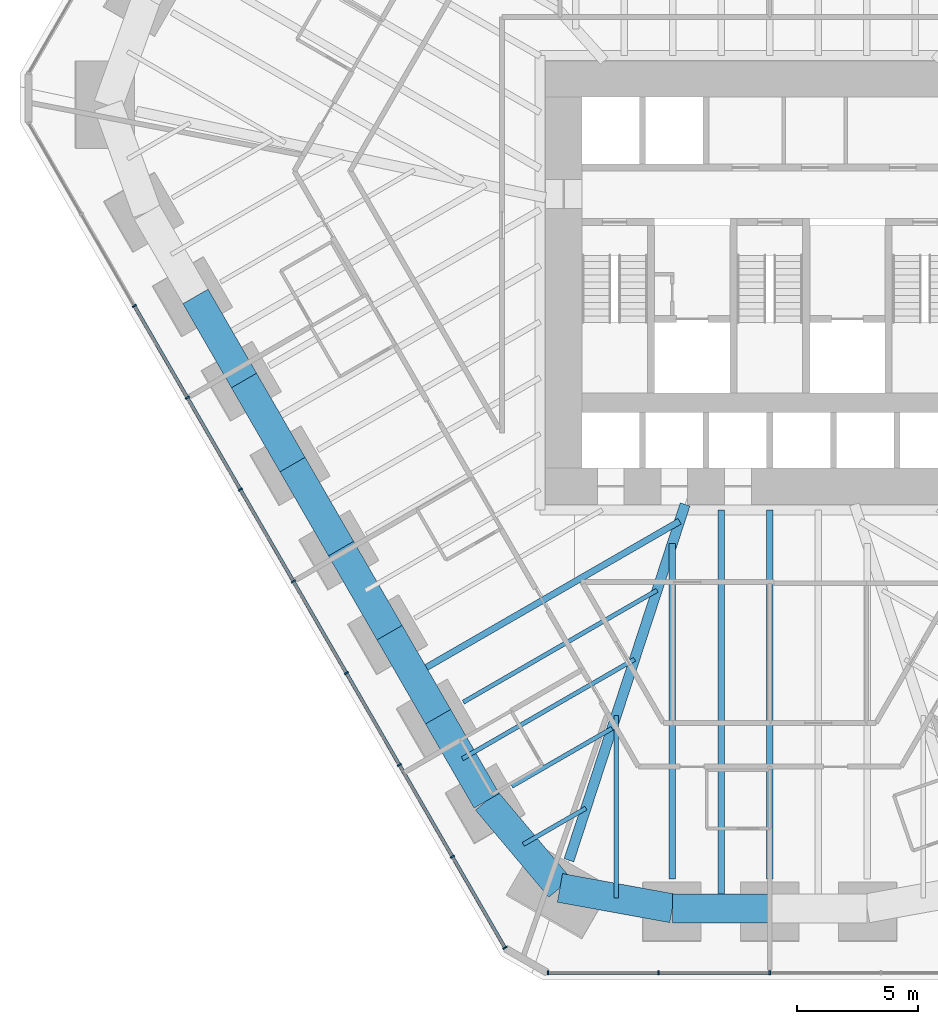
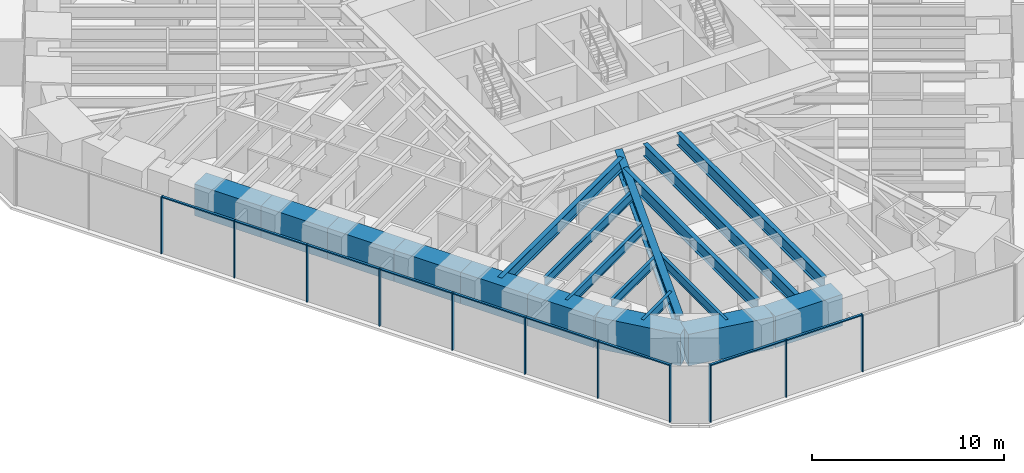
# One storey, part 2 of 17: 20 members, 19 beams, 2 elements without a shape of their own.
"""IFC4 building model written with IfcOpenShell, lengths in metres."""

from ifc_helpers import new_model, si_unit, direction, frame, origin, origin_2d, place, context, subcontext, project, spatial, rectangle, i_section, extrude, material, material_profile, profile_set, type_object, element, aggregate, save


model = new_model("IFC4")

# Units and contexts
model_context = context("Model", 3, precision=1e-05, world=origin(), true_north=direction((0.0, 1.0)))
body_context = subcontext(model_context, "Body", "Model", "MODEL_VIEW")
ifc_project = project(units=[si_unit("LENGTHUNIT", "METRE"), si_unit("AREAUNIT", "SQUARE_METRE"), si_unit("VOLUMEUNIT", "CUBIC_METRE"), si_unit("PLANEANGLEUNIT", "RADIAN"), si_unit("MASSUNIT", "GRAM", prefix="KILO")], contexts=[model_context])

# Site, building, storey
site_placement = place(None, origin())
site = spatial("IfcSite", under=ifc_project, at=site_placement, CompositionType="ELEMENT")
building_placement = place(site_placement, origin())
building = spatial("IfcBuilding", under=site, at=building_placement, Name="Sandreach Pilgrim Tower", CompositionType="ELEMENT")
storey_placement = place(building_placement, frame((0.0, 0.0, 83.800048828125)))
storey = spatial("IfcBuildingStorey", under=building, at=storey_placement, Name="L20", CompositionType="ELEMENT", Elevation=83.800048828125)

# Curtain wall, members
ifc_material_1 = material(Name="Aluminium framed curtain wall", Category="aluminium")
curtain_wall_type = type_object("IfcCurtainWallType", Name="Hostel tower curtain wall", PredefinedType="NOTDEFINED", material=ifc_material_1)
curtain_wall_1_placement = place(storey_placement, origin())
curtain_wall_1 = element("IfcCurtainWall", 1, at=curtain_wall_1_placement, inside=storey, type_object=curtain_wall_type, Name="CW-1 L20 S", PredefinedType="NOTDEFINED")
ifc_material_2 = material(Name="Aluminium extrusion", Category="aluminium")
ifc_material_profile_1 = material_profile(ifc_material_2, rectangle(XDim=0.06494140625, YDim=0.179931640625, at=origin_2d()), Name="CW-1M 65X180")
ifc_profile_set_1 = profile_set([ifc_material_profile_1], Name="Aluminium extrusion")
member_type_1 = type_object("IfcMemberType", Name="CW-1 mullion", PredefinedType="MULLION", material=ifc_profile_set_1)
member_1_placement = place(storey_placement, frame((0.0, -30.010986328125, 0.0), z_axis=(0.0, 0.0, 1.0), x_axis=(-1.0, 0.0, 0.0)))
member_1 = element("IfcMember", 2, at=member_1_placement, type_object=member_type_1, Name="CW-1 mullion 3", PredefinedType="MULLION", context=body_context, shape_type="SweptSolid", body=[
    extrude(rectangle(XDim=0.06494140625, YDim=0.179931640625, at=origin_2d()), origin(), (0.0, 0.0, 1.0), 3.639892578125),
])
member_2_placement = place(storey_placement, frame((-4.5859375, -30.010986328125, 0.0), z_axis=(0.0, 0.0, 1.0), x_axis=(-1.0, 0.0, 0.0)))
member_2 = element("IfcMember", 3, at=member_2_placement, type_object=member_type_1, Name="CW-1 mullion 4", PredefinedType="MULLION", context=body_context, shape_type="SweptSolid", body=[
    extrude(rectangle(XDim=0.06494140625, YDim=0.179931640625, at=origin_2d()), origin(), (0.0, 0.0, 1.0), 3.639892578125),
])
member_3_placement = place(storey_placement, frame((-9.1396484375, -30.010986328125, 0.0), z_axis=(0.0, 0.0, 1.0), x_axis=(-1.0, 0.0, 0.0)))
member_3 = element("IfcMember", 4, at=member_3_placement, type_object=member_type_1, Name="CW-1 mullion 5", PredefinedType="MULLION", context=body_context, shape_type="SweptSolid", body=[
    extrude(rectangle(XDim=0.06494140625, YDim=0.179931640625, at=origin_2d()), origin(), (0.0, 0.0, 1.0), 3.639892578125),
])

curtain_wall_2_placement = place(storey_placement, origin())
curtain_wall_2 = element("IfcCurtainWall", 5, at=curtain_wall_2_placement, inside=storey, type_object=curtain_wall_type, Name="CW-1 L20 SW", PredefinedType="NOTDEFINED")
member_4_placement = place(storey_placement, frame((-10.92041015625, -28.982666015625, 0.0), z_axis=(0.0, 0.0, 1.0), x_axis=(-0.5, 0.866025403784, 0.0)))
member_4 = element("IfcMember", 6, at=member_4_placement, type_object=member_type_1, Name="CW-1 mullion 1", PredefinedType="MULLION", context=body_context, shape_type="SweptSolid", body=[
    extrude(rectangle(XDim=0.06494140625, YDim=0.179931640625, at=origin_2d()), origin(), (0.0, 0.0, 1.0), 3.639892578125),
])
member_5_placement = place(storey_placement, frame((-13.08984375, -25.22509765625, 0.0), z_axis=(0.0, 0.0, 1.0), x_axis=(-0.5, 0.866025403784, 0.0)))
member_5 = element("IfcMember", 7, at=member_5_placement, type_object=member_type_1, Name="CW-1 mullion 2", PredefinedType="MULLION", context=body_context, shape_type="SweptSolid", body=[
    extrude(rectangle(XDim=0.06494140625, YDim=0.179931640625, at=origin_2d()), origin(), (0.0, 0.0, 1.0), 3.639892578125),
])
member_6_placement = place(storey_placement, frame((-15.275634765625, -21.439208984375, 0.0), z_axis=(0.0, 0.0, 1.0), x_axis=(-0.5, 0.866025403784, 0.0)))
member_6 = element("IfcMember", 8, at=member_6_placement, type_object=member_type_1, Name="CW-1 mullion 3", PredefinedType="MULLION", context=body_context, shape_type="SweptSolid", body=[
    extrude(rectangle(XDim=0.06494140625, YDim=0.179931640625, at=origin_2d()), origin(), (0.0, 0.0, 1.0), 3.639892578125),
])
member_7_placement = place(storey_placement, frame((-17.46142578125, -17.6533203125, 0.0), z_axis=(0.0, 0.0, 1.0), x_axis=(-0.5, 0.866025403784, 0.0)))
member_7 = element("IfcMember", 9, at=member_7_placement, type_object=member_type_1, Name="CW-1 mullion 4", PredefinedType="MULLION", context=body_context, shape_type="SweptSolid", body=[
    extrude(rectangle(XDim=0.06494140625, YDim=0.179931640625, at=origin_2d()), origin(), (0.0, 0.0, 1.0), 3.639892578125),
])
member_8_placement = place(storey_placement, frame((-19.647216796875, -13.8671875, 0.0), z_axis=(0.0, 0.0, 1.0), x_axis=(-0.5, 0.866025403784, 0.0)))
member_8 = element("IfcMember", 10, at=member_8_placement, type_object=member_type_1, Name="CW-1 mullion 5", PredefinedType="MULLION", context=body_context, shape_type="SweptSolid", body=[
    extrude(rectangle(XDim=0.06494140625, YDim=0.179931640625, at=origin_2d()), origin(), (0.0, 0.0, 1.0), 3.639892578125),
])
member_9_placement = place(storey_placement, frame((-21.8330078125, -10.081298828125, 0.0), z_axis=(0.0, 0.0, 1.0), x_axis=(-0.5, 0.866025403784, 0.0)))
member_9 = element("IfcMember", 11, at=member_9_placement, type_object=member_type_1, Name="CW-1 mullion 6", PredefinedType="MULLION", context=body_context, shape_type="SweptSolid", body=[
    extrude(rectangle(XDim=0.06494140625, YDim=0.179931640625, at=origin_2d()), origin(), (0.0, 0.0, 1.0), 3.639892578125),
])
member_10_placement = place(storey_placement, frame((-24.018798828125, -6.29541015625, 0.0), z_axis=(0.0, 0.0, 1.0), x_axis=(-0.5, 0.866025403784, 0.0)))
member_10 = element("IfcMember", 12, at=member_10_placement, type_object=member_type_1, Name="CW-1 mullion 7", PredefinedType="MULLION", context=body_context, shape_type="SweptSolid", body=[
    extrude(rectangle(XDim=0.06494140625, YDim=0.179931640625, at=origin_2d()), origin(), (0.0, 0.0, 1.0), 3.639892578125),
])
member_11_placement = place(storey_placement, frame((-26.20458984375, -2.509521484375, 0.0), z_axis=(0.0, 0.0, 1.0), x_axis=(-0.5, 0.866025403784, 0.0)))
member_11 = element("IfcMember", 13, at=member_11_placement, type_object=member_type_1, Name="CW-1 mullion 8", PredefinedType="MULLION", context=body_context, shape_type="SweptSolid", body=[
    extrude(rectangle(XDim=0.06494140625, YDim=0.179931640625, at=origin_2d()), origin(), (0.0, 0.0, 1.0), 3.639892578125),
])

# Member
ifc_material_3 = material(Name="Aluminium extrusion", Category="aluminium")
ifc_material_profile_2 = material_profile(ifc_material_3, rectangle(XDim=0.139892578125, YDim=0.070068359375, at=origin_2d()), Name="CW-1T 140X70")
ifc_profile_set_2 = profile_set([ifc_material_profile_2], Name="Aluminium extrusion")
member_type_2 = type_object("IfcMemberType", Name="CW-1 transom", PredefinedType="USERDEFINED", material=ifc_profile_set_2)
member_12_placement = place(storey_placement, frame((-0.032470703125, -30.010986328125, 3.60498046875), z_axis=(-1.0, 0.0, 0.0), x_axis=(0.0, -1.0, 0.0)))
member_12 = element("IfcMember", 14, at=member_12_placement, type_object=member_type_2, Name="CW-1 head transom 3", ObjectType="TRANSOM", PredefinedType="USERDEFINED", context=body_context, shape_type="SweptSolid", body=[
    extrude(rectangle(XDim=0.139892578125, YDim=0.070068359375, at=origin_2d()), origin(), (0.0, 0.0, 1.0), 4.52099609375),
])

member_13_placement = place(storey_placement, frame((-4.61865234375, -30.010986328125, 3.60498046875), z_axis=(-1.0, 0.0, 0.0), x_axis=(0.0, -1.0, 0.0)))
member_13 = element("IfcMember", 15, at=member_13_placement, type_object=member_type_2, Name="CW-1 head transom 4", ObjectType="TRANSOM", PredefinedType="USERDEFINED", context=body_context, shape_type="SweptSolid", body=[
    extrude(rectangle(XDim=0.139892578125, YDim=0.070068359375, at=origin_2d()), origin(), (0.0, 0.0, 1.0), 4.488525390625),
])

aggregate(curtain_wall_1, [member_1, member_2, member_3, member_12, member_13])

member_14_placement = place(storey_placement, frame((-10.9365234375, -28.95458984375, 3.60498046875), z_axis=(-0.500033953635, 0.866005799756, 0.0), x_axis=(-0.866005799756, -0.500033953635, 0.0)))
member_14 = element("IfcMember", 16, at=member_14_placement, type_object=member_type_2, Name="CW-1 head transom 1", ObjectType="TRANSOM", PredefinedType="USERDEFINED", context=body_context, shape_type="SweptSolid", body=[
    extrude(rectangle(XDim=0.139892578125, YDim=0.070068359375, at=origin_2d()), origin(), (0.0, 0.0, 1.0), 4.274169921875),
])

member_15_placement = place(storey_placement, frame((-13.106201171875, -25.19677734375, 3.60498046875), z_axis=(-0.500016891966, 0.866015650984, 0.0), x_axis=(-0.866015650984, -0.500016891966, 0.0)))
member_15 = element("IfcMember", 17, at=member_15_placement, type_object=member_type_2, Name="CW-1 head transom 2", ObjectType="TRANSOM", PredefinedType="USERDEFINED", context=body_context, shape_type="SweptSolid", body=[
    extrude(rectangle(XDim=0.139892578125, YDim=0.070068359375, at=origin_2d()), origin(), (0.0, 0.0, 1.0), 4.306396484375),
])

member_16_placement = place(storey_placement, frame((-15.2919921875, -21.410888671875, 3.60498046875), z_axis=(-0.500016891966, 0.866015650984, 0.0), x_axis=(-0.866015650984, -0.500016891966, 0.0)))
member_16 = element("IfcMember", 18, at=member_16_placement, type_object=member_type_2, Name="CW-1 head transom 3", ObjectType="TRANSOM", PredefinedType="USERDEFINED", context=body_context, shape_type="SweptSolid", body=[
    extrude(rectangle(XDim=0.139892578125, YDim=0.070068359375, at=origin_2d()), origin(), (0.0, 0.0, 1.0), 4.306396484375),
])

member_17_placement = place(storey_placement, frame((-17.477783203125, -17.625, 3.60498046875), z_axis=(-0.500016891966, 0.866015650984, 0.0), x_axis=(-0.866015650984, -0.500016891966, 0.0)))
member_17 = element("IfcMember", 19, at=member_17_placement, type_object=member_type_2, Name="CW-1 head transom 4", ObjectType="TRANSOM", PredefinedType="USERDEFINED", context=body_context, shape_type="SweptSolid", body=[
    extrude(rectangle(XDim=0.139892578125, YDim=0.070068359375, at=origin_2d()), origin(), (0.0, 0.0, 1.0), 4.306396484375),
])

member_18_placement = place(storey_placement, frame((-19.66357421875, -13.839111328125, 3.60498046875), z_axis=(-0.500016891966, 0.866015650984, 0.0), x_axis=(-0.866015650984, -0.500016891966, 0.0)))
member_18 = element("IfcMember", 20, at=member_18_placement, type_object=member_type_2, Name="CW-1 head transom 5", ObjectType="TRANSOM", PredefinedType="USERDEFINED", context=body_context, shape_type="SweptSolid", body=[
    extrude(rectangle(XDim=0.139892578125, YDim=0.070068359375, at=origin_2d()), origin(), (0.0, 0.0, 1.0), 4.306396484375),
])

member_19_placement = place(storey_placement, frame((-21.849365234375, -10.05322265625, 3.60498046875), z_axis=(-0.500016891966, 0.866015650984, 0.0), x_axis=(-0.866015650984, -0.500016891966, 0.0)))
member_19 = element("IfcMember", 21, at=member_19_placement, type_object=member_type_2, Name="CW-1 head transom 6", ObjectType="TRANSOM", PredefinedType="USERDEFINED", context=body_context, shape_type="SweptSolid", body=[
    extrude(rectangle(XDim=0.139892578125, YDim=0.070068359375, at=origin_2d()), origin(), (0.0, 0.0, 1.0), 4.306396484375),
])

member_20_placement = place(storey_placement, frame((-24.03515625, -6.267333984375, 3.60498046875), z_axis=(-0.500016891966, 0.866015650984, 0.0), x_axis=(-0.866015650984, -0.500016891966, 0.0)))
member_20 = element("IfcMember", 22, at=member_20_placement, type_object=member_type_2, Name="CW-1 head transom 7", ObjectType="TRANSOM", PredefinedType="USERDEFINED", context=body_context, shape_type="SweptSolid", body=[
    extrude(rectangle(XDim=0.139892578125, YDim=0.070068359375, at=origin_2d()), origin(), (0.0, 0.0, 1.0), 4.306396484375),
])

aggregate(curtain_wall_2, [member_4, member_5, member_6, member_7, member_8, member_9, member_10, member_11, member_14, member_15, member_16, member_17, member_18, member_19, member_20])

# Beams
ifc_material_4 = material(Name="Steel ASTM A992 Grade 50", Category="steel")
ifc_material_profile_3 = material_profile(ifc_material_4, i_section(OverallWidth=0.421630859375, OverallDepth=0.937255859375, WebThickness=0.0224609375, FlangeThickness=0.039794921875, at=origin_2d()), Name="W36X282")
ifc_profile_set_3 = profile_set([ifc_material_profile_3], Name="Steel ASTM A992 Grade 50")
beam_type_1 = type_object("IfcBeamType", Name="Corner girder W36X282", PredefinedType="BEAM", material=ifc_profile_set_3)
beam_1_placement = place(storey_placement, frame((-8.2822265625, -25.372314453125, 3.17138671875), z_axis=(0.310318350316, 0.950632695344, 0.0), x_axis=(-0.950632695344, 0.310318350316, 0.0)))
element("IfcBeam", 23, at=beam_1_placement, inside=storey, type_object=beam_type_1, Name="BM L20 CG26", PredefinedType="BEAM", context=body_context, shape_type="SweptSolid", body=[
    extrude(i_section(OverallWidth=0.421630859375, OverallDepth=0.937255859375, WebThickness=0.0224609375, FlangeThickness=0.039794921875, at=origin_2d()), origin(), (0.0, 0.0, 1.0), 15.434326171875),
])
ifc_material_5 = material(Name="Steel ASTM A992 Grade 50", Category="steel")
ifc_material_profile_4 = material_profile(ifc_material_5, i_section(OverallWidth=0.1787109375, OverallDepth=0.60205078125, WebThickness=0.010986328125, FlangeThickness=0.014892578125, at=origin_2d()), Name="W24X62")
ifc_profile_set_4 = profile_set([ifc_material_profile_4], Name="Steel ASTM A992 Grade 50")
beam_type_2 = type_object("IfcBeamType", Name="Floor beam W24X62", PredefinedType="BEAM", material=ifc_profile_set_4)
beam_2_placement = place(storey_placement, frame((-10.6376953125, -22.318359375, 3.3388671875), z_axis=(0.866020229892, 0.500008961337, 0.0), x_axis=(-0.500008961337, 0.866020229892, 0.0)))
element("IfcBeam", 24, at=beam_2_placement, inside=storey, type_object=beam_type_2, Name="BM L20 F27", PredefinedType="BEAM", context=body_context, shape_type="SweptSolid", body=[
    extrude(i_section(OverallWidth=0.1787109375, OverallDepth=0.60205078125, WebThickness=0.010986328125, FlangeThickness=0.014892578125, at=origin_2d()), origin(), (0.0, 0.0, 1.0), 4.77001953125),
])
beam_3_placement = place(storey_placement, frame((-12.63916015625, -18.85205078125, 3.3388671875), z_axis=(0.866018602839, 0.500011779398, 0.0), x_axis=(-0.500011779398, 0.866018602839, 0.0)))
element("IfcBeam", 25, at=beam_3_placement, inside=storey, type_object=beam_type_2, Name="BM L20 F28", PredefinedType="BEAM", context=body_context, shape_type="SweptSolid", body=[
    extrude(i_section(OverallWidth=0.1787109375, OverallDepth=0.60205078125, WebThickness=0.010986328125, FlangeThickness=0.014892578125, at=origin_2d()), origin(), (0.0, 0.0, 1.0), 9.227783203125),
])
beam_4_placement = place(storey_placement, frame((-6.3359375, -26.933837890625, 3.3388671875), z_axis=(0.0, 1.0, 0.0), x_axis=(-1.0, 0.0, 0.0)))
element("IfcBeam", 26, at=beam_4_placement, inside=storey, type_object=beam_type_2, Name="BM L20 FM25", PredefinedType="BEAM", context=body_context, shape_type="SweptSolid", body=[
    extrude(i_section(OverallWidth=0.1787109375, OverallDepth=0.60205078125, WebThickness=0.010986328125, FlangeThickness=0.014892578125, at=origin_2d()), origin(), (0.0, 0.0, 1.0), 7.52392578125),
])
beam_5_placement = place(storey_placement, frame((-10.165771484375, -24.7158203125, 3.3388671875), z_axis=(0.866009892282, 0.500026865748, 0.0), x_axis=(-0.500026865748, 0.866009892282, 0.0)))
element("IfcBeam", 27, at=beam_5_placement, inside=storey, type_object=beam_type_2, Name="BM L20 FM26", PredefinedType="BEAM", context=body_context, shape_type="SweptSolid", body=[
    extrude(i_section(OverallWidth=0.1787109375, OverallDepth=0.60205078125, WebThickness=0.010986328125, FlangeThickness=0.014892578125, at=origin_2d()), origin(), (0.0, 0.0, 1.0), 2.985107421875),
])
beam_6_placement = place(storey_placement, frame((-12.677734375, -21.18505859375, 3.3388671875), z_axis=(0.866033852062, 0.499985366868, 0.0), x_axis=(-0.499985366868, 0.866033852062, 0.0)))
element("IfcBeam", 28, at=beam_6_placement, inside=storey, type_object=beam_type_2, Name="BM L20 FM27", PredefinedType="BEAM", context=body_context, shape_type="SweptSolid", body=[
    extrude(i_section(OverallWidth=0.1787109375, OverallDepth=0.60205078125, WebThickness=0.010986328125, FlangeThickness=0.014892578125, at=origin_2d()), origin(), (0.0, 0.0, 1.0), 8.198974609375),
])
ifc_material_6 = material(Name="Steel ASTM A992 Grade 50", Category="steel")
ifc_material_profile_5 = material_profile(ifc_material_6, i_section(OverallWidth=0.2666015625, OverallDepth=0.761962890625, WebThickness=0.014404296875, FlangeThickness=0.021484375, at=origin_2d()), Name="W30X116")
ifc_profile_set_5 = profile_set([ifc_material_profile_5], Name="Steel ASTM A992 Grade 50")
beam_type_3 = type_object("IfcBeamType", Name="Floor beam W30X116", PredefinedType="BEAM", material=ifc_profile_set_5)
beam_7_placement = place(storey_placement, frame((-4.017333984375, -26.15478515625, 3.259033203125), z_axis=(0.0, 1.0, 0.0), x_axis=(-1.0, 0.0, 0.0)))
element("IfcBeam", 29, at=beam_7_placement, inside=storey, type_object=beam_type_3, Name="BM L20 F25", PredefinedType="BEAM", context=body_context, shape_type="SweptSolid", body=[
    extrude(i_section(OverallWidth=0.2666015625, OverallDepth=0.761962890625, WebThickness=0.014404296875, FlangeThickness=0.021484375, at=origin_2d()), origin(), (0.0, 0.0, 1.0), 13.847900390625),
])
beam_8_placement = place(storey_placement, frame((-14.678955078125, -17.71875, 3.259033203125), z_axis=(0.866018223127, 0.500012437057, 0.0), x_axis=(-0.500012437057, 0.866018223127, 0.0)))
element("IfcBeam", 30, at=beam_8_placement, inside=storey, type_object=beam_type_3, Name="BM L20 FM28", PredefinedType="BEAM", context=body_context, shape_type="SweptSolid", body=[
    extrude(i_section(OverallWidth=0.2666015625, OverallDepth=0.761962890625, WebThickness=0.014404296875, FlangeThickness=0.021484375, at=origin_2d()), origin(), (0.0, 0.0, 1.0), 12.656494140625),
])
ifc_material_7 = material(Name="Steel ASTM A992 Grade 50", Category="steel")
ifc_material_profile_6 = material_profile(ifc_material_7, i_section(OverallWidth=0.2666015625, OverallDepth=0.77978515625, WebThickness=0.0166015625, FlangeThickness=0.030029296875, at=origin_2d()), Name="W30X148")
ifc_profile_set_6 = profile_set([ifc_material_profile_6], Name="Steel ASTM A992 Grade 50")
beam_type_4 = type_object("IfcBeamType", Name="Floor beam W30X148", PredefinedType="BEAM", material=ifc_profile_set_6)
beam_9_placement = place(storey_placement, frame((0.0, -26.15478515625, 3.25), z_axis=(0.0, 1.0, 0.0), x_axis=(-1.0, 0.0, 0.0)))
element("IfcBeam", 31, at=beam_9_placement, inside=storey, type_object=beam_type_4, Name="BM L20 F24", PredefinedType="BEAM", context=body_context, shape_type="SweptSolid", body=[
    extrude(i_section(OverallWidth=0.2666015625, OverallDepth=0.77978515625, WebThickness=0.0166015625, FlangeThickness=0.030029296875, at=origin_2d()), origin(), (0.0, 0.0, 1.0), 15.232666015625),
])
beam_10_placement = place(storey_placement, frame((-2.008544921875, -27.354736328125, 3.25), z_axis=(0.0, 1.0, 0.0), x_axis=(-1.0, 0.0, 0.0)))
element("IfcBeam", 32, at=beam_10_placement, inside=storey, type_object=beam_type_4, Name="BM L20 FM24", PredefinedType="BEAM", context=body_context, shape_type="SweptSolid", body=[
    extrude(i_section(OverallWidth=0.2666015625, OverallDepth=0.77978515625, WebThickness=0.0166015625, FlangeThickness=0.030029296875, at=origin_2d()), origin(), (0.0, 0.0, 1.0), 16.4326171875),
])
ifc_material_8 = material(Name="Concrete 10000 psi", Category="concrete")
ifc_material_profile_7 = material_profile(ifc_material_8, rectangle(XDim=1.199951171875, YDim=2.0, at=origin_2d()), Name="RC1200X2000")
ifc_profile_set_7 = profile_set([ifc_material_profile_7], Name="Concrete 10000 psi")
beam_type_5 = type_object("IfcBeamType", Name="Spandrel beam RC1200X2000", PredefinedType="SPANDREL", material=ifc_profile_set_7)
beam_11_placement = place(storey_placement, frame((0.0, -27.354736328125, 2.639892578125), z_axis=(-1.0, 0.0, 0.0), x_axis=(0.0, -1.0, 0.0)))
element("IfcBeam", 33, at=beam_11_placement, inside=storey, type_object=beam_type_5, Name="BM L20 SP24", PredefinedType="SPANDREL", context=body_context, shape_type="SweptSolid", body=[
    extrude(rectangle(XDim=1.199951171875, YDim=2.0, at=origin_2d()), origin(), (0.0, 0.0, 1.0), 4.017333984375),
])
beam_12_placement = place(storey_placement, frame((-4.017333984375, -27.354736328125, 2.639892578125), z_axis=(-0.983928704026, 0.178561769126, 0.0), x_axis=(-0.178561769126, -0.983928704026, 0.0)))
element("IfcBeam", 34, at=beam_12_placement, inside=storey, type_object=beam_type_5, Name="BM L20 SP25", PredefinedType="SPANDREL", context=body_context, shape_type="SweptSolid", body=[
    extrude(rectangle(XDim=1.199951171875, YDim=2.0, at=origin_2d()), origin(), (0.0, 0.0, 1.0), 4.712890625),
])
beam_13_placement = place(storey_placement, frame((-8.654541015625, -26.51318359375, 2.639892578125), z_axis=(-0.643552874464, 0.765401657804, 0.0), x_axis=(-0.765401657804, -0.643552874464, 0.0)))
element("IfcBeam", 35, at=beam_13_placement, inside=storey, type_object=beam_type_5, Name="BM L20 SP26", PredefinedType="SPANDREL", context=body_context, shape_type="SweptSolid", body=[
    extrude(rectangle(XDim=1.199951171875, YDim=2.0, at=origin_2d()), origin(), (0.0, 0.0, 1.0), 4.696533203125),
])
beam_14_placement = place(storey_placement, frame((-11.677001953125, -22.91845703125, 2.639892578125), z_axis=(-0.500009310088, 0.866020028536, 0.0), x_axis=(-0.866020028536, -0.500009310088, 0.0)))
element("IfcBeam", 36, at=beam_14_placement, inside=storey, type_object=beam_type_5, Name="BM L20 SP27", PredefinedType="SPANDREL", context=body_context, shape_type="SweptSolid", body=[
    extrude(rectangle(XDim=1.199951171875, YDim=2.0, at=origin_2d()), origin(), (0.0, 0.0, 1.0), 4.0029296875),
])
beam_15_placement = place(storey_placement, frame((-13.678466796875, -19.451904296875, 2.639892578125), z_axis=(-0.499989975679, 0.866031191252, 0.0), x_axis=(-0.866031191252, -0.499989975679, 0.0)))
element("IfcBeam", 37, at=beam_15_placement, inside=storey, type_object=beam_type_5, Name="BM L20 SP28", PredefinedType="SPANDREL", context=body_context, shape_type="SweptSolid", body=[
    extrude(rectangle(XDim=1.199951171875, YDim=2.0, at=origin_2d()), origin(), (0.0, 0.0, 1.0), 4.00244140625),
])
beam_16_placement = place(storey_placement, frame((-15.6796875, -15.985595703125, 2.639892578125), z_axis=(-0.500009310088, 0.866020028536, 0.0), x_axis=(-0.866020028536, -0.500009310088, 0.0)))
element("IfcBeam", 38, at=beam_16_placement, inside=storey, type_object=beam_type_5, Name="BM L20 SP29", PredefinedType="SPANDREL", context=body_context, shape_type="SweptSolid", body=[
    extrude(rectangle(XDim=1.199951171875, YDim=2.0, at=origin_2d()), origin(), (0.0, 0.0, 1.0), 4.0029296875),
])
beam_17_placement = place(storey_placement, frame((-17.68115234375, -12.51904296875, 2.639892578125), z_axis=(-0.499989975679, 0.866031191252, 0.0), x_axis=(-0.866031191252, -0.499989975679, 0.0)))
element("IfcBeam", 39, at=beam_17_placement, inside=storey, type_object=beam_type_5, Name="BM L20 SP30", PredefinedType="SPANDREL", context=body_context, shape_type="SweptSolid", body=[
    extrude(rectangle(XDim=1.199951171875, YDim=2.0, at=origin_2d()), origin(), (0.0, 0.0, 1.0), 4.00244140625),
])
beam_18_placement = place(storey_placement, frame((-19.682373046875, -9.052734375, 2.639892578125), z_axis=(-0.500009310088, 0.866020028536, 0.0), x_axis=(-0.866020028536, -0.500009310088, 0.0)))
element("IfcBeam", 40, at=beam_18_placement, inside=storey, type_object=beam_type_5, Name="BM L20 SP31", PredefinedType="SPANDREL", context=body_context, shape_type="SweptSolid", body=[
    extrude(rectangle(XDim=1.199951171875, YDim=2.0, at=origin_2d()), origin(), (0.0, 0.0, 1.0), 4.0029296875),
])
beam_19_placement = place(storey_placement, frame((-21.683837890625, -5.586181640625, 2.639892578125), z_axis=(-0.499989975679, 0.866031191252, 0.0), x_axis=(-0.866031191252, -0.499989975679, 0.0)))
element("IfcBeam", 41, at=beam_19_placement, inside=storey, type_object=beam_type_5, Name="BM L20 SP32", PredefinedType="SPANDREL", context=body_context, shape_type="SweptSolid", body=[
    extrude(rectangle(XDim=1.199951171875, YDim=2.0, at=origin_2d()), origin(), (0.0, 0.0, 1.0), 4.00244140625),
])

save(model, "model.ifc")
